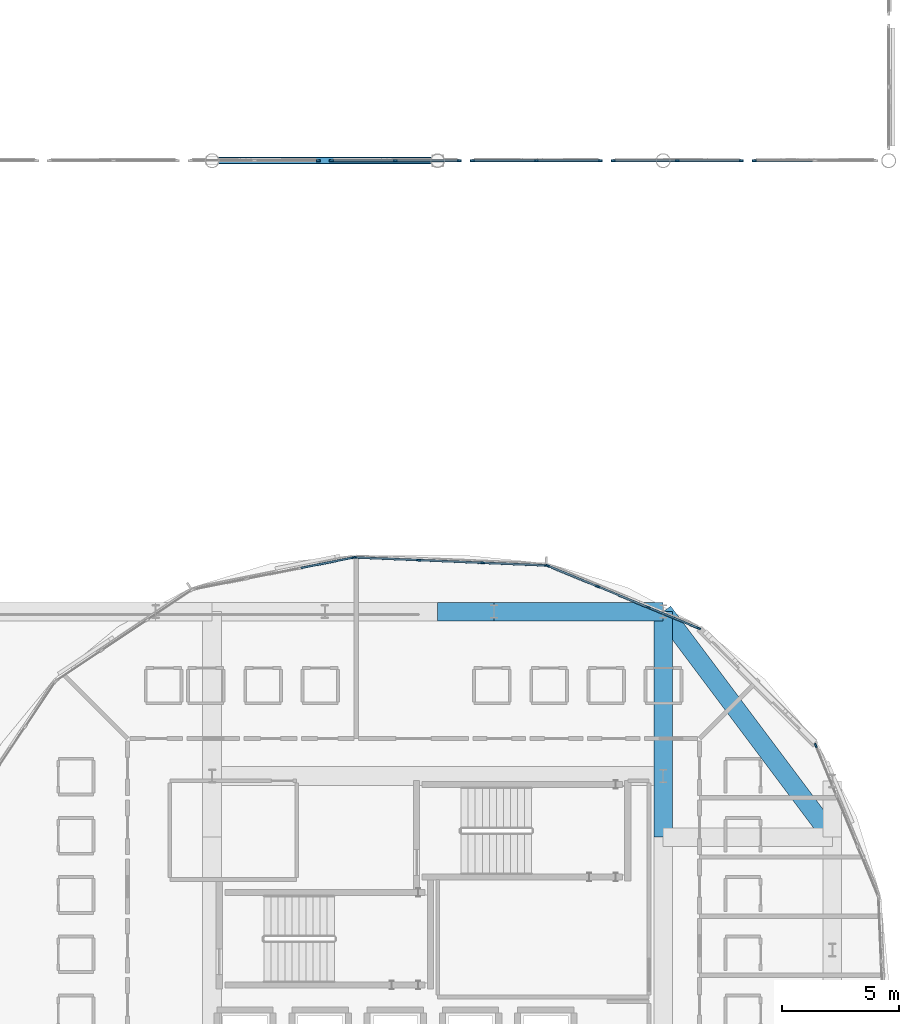
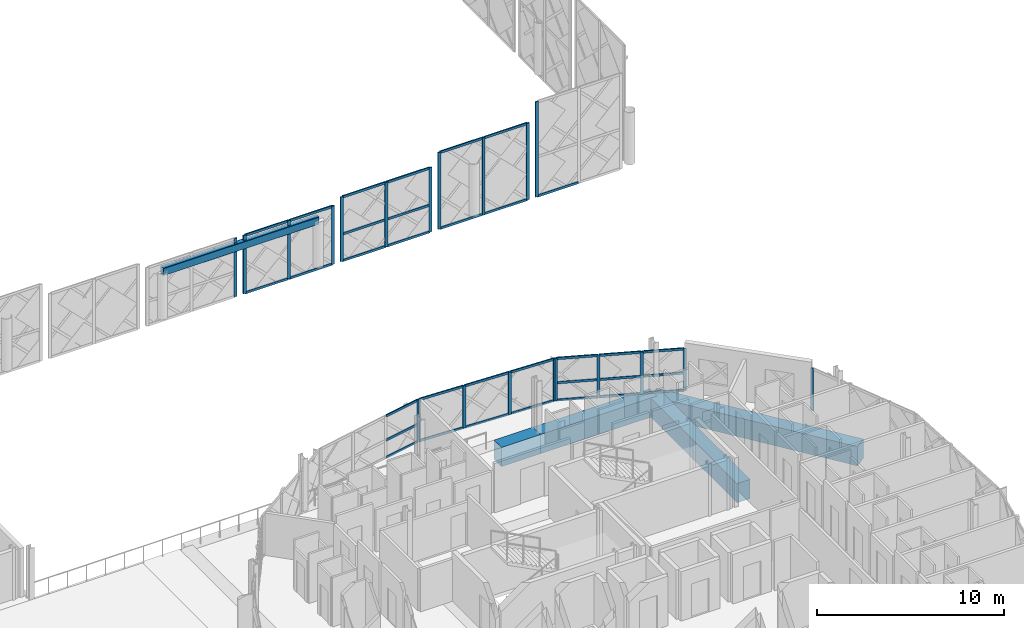
# One storey, part 17 of 53: 54 members, 5 beams, 9 elements without a shape of their own.
"""IFC4 building model written with IfcOpenShell, lengths in metres."""

from ifc_helpers import new_model, si_unit, direction, frame, origin, origin_2d, place, context, subcontext, project, spatial, rectangle, hollow_rectangle, extrude, material, layer, layer_set, material_profile, profile_set, type_object, element, aggregate, save


model = new_model("IFC4")

# Units and contexts
model_context = context("Model", 3, precision=1e-05, world=origin(), true_north=direction((0.0, 1.0)))
body_context = subcontext(model_context, "Body", "Model", "MODEL_VIEW")
ifc_project = project(units=[si_unit("LENGTHUNIT", "METRE"), si_unit("AREAUNIT", "SQUARE_METRE"), si_unit("VOLUMEUNIT", "CUBIC_METRE"), si_unit("PLANEANGLEUNIT", "RADIAN"), si_unit("MASSUNIT", "GRAM", prefix="KILO")], contexts=[model_context])

# Site, building, storey
site_placement = place(None, origin())
site = spatial("IfcSite", under=ifc_project, at=site_placement, CompositionType="ELEMENT")
building_placement = place(site_placement, origin())
building = spatial("IfcBuilding", under=site, at=building_placement, Name="Zevrakil Square Congress Hotel", CompositionType="ELEMENT")
storey_placement = place(building_placement, frame((0.0, 0.0, 14.699951171875)))
storey = spatial("IfcBuildingStorey", under=building, at=storey_placement, Name="L04", CompositionType="ELEMENT", Elevation=14.699951171875)

# Beams
ifc_material_1 = material(Name="Concrete C40/50", Category="concrete")
ifc_material_profile_1 = material_profile(ifc_material_1, rectangle(XDim=0.800048828125, YDim=1.25, at=origin_2d()), Name="RC 800x1250")
ifc_profile_set_1 = profile_set([ifc_material_profile_1], Name="Concrete C40/50")
beam_type_1 = type_object("IfcBeamType", Name="BM-RC800x1250", PredefinedType="BEAM", material=ifc_profile_set_1)
beam_1_placement = place(storey_placement, frame((146.39990234375, 45.60009765625, -0.625), z_axis=(1.0, 0.0, 0.0), x_axis=(0.0, 1.0, 0.0)))
element("IfcBeam", 1, at=beam_1_placement, inside=storey, type_object=beam_type_1, Name="L04 drum transfer girder TB-008", PredefinedType="BEAM", context=body_context, shape_type="SweptSolid", body=[
    extrude(rectangle(XDim=0.800048828125, YDim=1.25, at=origin_2d()), origin(), (0.0, 0.0, 1.0), 2.400146484375),
])
beam_2_placement = place(storey_placement, frame((148.800048828125, 45.60009765625, -0.625), z_axis=(1.0, 0.0, 0.0), x_axis=(0.0, 1.0, 0.0)))
element("IfcBeam", 2, at=beam_2_placement, inside=storey, type_object=beam_type_1, Name="L04 drum transfer girder TB-010", PredefinedType="BEAM", context=body_context, shape_type="SweptSolid", body=[
    extrude(rectangle(XDim=0.800048828125, YDim=1.25, at=origin_2d()), origin(), (0.0, 0.0, 1.0), 7.199951171875),
])
beam_3_placement = place(storey_placement, frame((156.0, 45.60009765625, -0.625), z_axis=(0.59999348959, -0.800004882766, 0.0), x_axis=(0.800004882766, 0.59999348959, 0.0)))
element("IfcBeam", 3, at=beam_3_placement, inside=storey, type_object=beam_type_1, Name="L04 drum transfer girder TB-022", PredefinedType="BEAM", context=body_context, shape_type="SweptSolid", body=[
    extrude(rectangle(XDim=0.800048828125, YDim=1.25, at=origin_2d()), origin(), (0.0, 0.0, 1.0), 12.0),
])
beam_4_placement = place(storey_placement, frame((156.0, 36.0, -0.625), z_axis=(0.0, 1.0, 0.0), x_axis=(-1.0, 0.0, 0.0)))
element("IfcBeam", 4, at=beam_4_placement, inside=storey, type_object=beam_type_1, Name="L04 drum transfer girder TB-030", PredefinedType="BEAM", context=body_context, shape_type="SweptSolid", body=[
    extrude(rectangle(XDim=0.800048828125, YDim=1.25, at=origin_2d()), origin(), (0.0, 0.0, 1.0), 9.60009765625),
])

# Curtain wall, members
ifc_material_2 = material(Name="Aluminium Anodised Bronze", Category="aluminium")
ifc_layer_1 = layer(ifc_material_2, 0.179931640625)
ifc_layer_set_1 = layer_set([ifc_layer_1], Name="Aluminium Anodised Bronze")
curtain_wall_type_1 = type_object("IfcCurtainWallType", Name="CW-L01-560", PredefinedType="USERDEFINED", material=ifc_layer_set_1)
curtain_wall_1_placement = place(storey_placement, origin())
curtain_wall_1 = element("IfcCurtainWall", 5, at=curtain_wall_1_placement, inside=storey, type_object=curtain_wall_type_1, Name="L04 diamond curtain wall CW-L04-0087", ObjectType="GLAZED CURTAIN WALL", PredefinedType="USERDEFINED")
ifc_material_3 = material(Name="Aluminium Anodised Bronze", Category="aluminium")
ifc_material_profile_2 = material_profile(ifc_material_3, rectangle(XDim=0.074951171875, YDim=0.14990234375, at=origin_2d()), Name="ALU 75x150")
ifc_profile_set_2 = profile_set([ifc_material_profile_2], Name="Aluminium Anodised Bronze")
member_type_1 = type_object("IfcMemberType", Name="CWM-ALU75x150", PredefinedType="USERDEFINED", material=ifc_profile_set_2)
member_1_placement = place(storey_placement, frame((141.909912109375, 64.800048828125, -0.22998046875), z_axis=(1.0, 0.0, 0.0), x_axis=(0.0, 1.0, 0.0)))
member_1 = element("IfcMember", 6, at=member_1_placement, type_object=member_type_1, Name="CW-08 transom 1.1", ObjectType="TRANSOM", PredefinedType="USERDEFINED", context=body_context, shape_type="SweptSolid", body=[
    extrude(rectangle(XDim=0.074951171875, YDim=0.14990234375, at=origin_2d()), origin(), (0.0, 0.0, 1.0), 2.66015625),
])
member_2_placement = place(storey_placement, frame((141.909912109375, 64.800048828125, 3.510009765625), z_axis=(1.0, 0.0, 0.0), x_axis=(0.0, 1.0, 0.0)))
member_2 = element("IfcMember", 7, at=member_2_placement, type_object=member_type_1, Name="CW-08 transom 1.2", ObjectType="TRANSOM", PredefinedType="USERDEFINED", context=body_context, shape_type="SweptSolid", body=[
    extrude(rectangle(XDim=0.074951171875, YDim=0.14990234375, at=origin_2d()), origin(), (0.0, 0.0, 1.0), 2.66015625),
])
member_3_placement = place(storey_placement, frame((144.6298828125, 64.800048828125, -0.22998046875), z_axis=(1.0, 0.0, 0.0), x_axis=(0.0, 1.0, 0.0)))
member_3 = element("IfcMember", 8, at=member_3_placement, type_object=member_type_1, Name="CW-08 transom 2.1", ObjectType="TRANSOM", PredefinedType="USERDEFINED", context=body_context, shape_type="SweptSolid", body=[
    extrude(rectangle(XDim=0.074951171875, YDim=0.14990234375, at=origin_2d()), origin(), (0.0, 0.0, 1.0), 2.66015625),
])
member_4_placement = place(storey_placement, frame((144.6298828125, 64.800048828125, 3.510009765625), z_axis=(1.0, 0.0, 0.0), x_axis=(0.0, 1.0, 0.0)))
member_4 = element("IfcMember", 9, at=member_4_placement, type_object=member_type_1, Name="CW-08 transom 2.2", ObjectType="TRANSOM", PredefinedType="USERDEFINED", context=body_context, shape_type="SweptSolid", body=[
    extrude(rectangle(XDim=0.074951171875, YDim=0.14990234375, at=origin_2d()), origin(), (0.0, 0.0, 1.0), 2.66015625),
])

curtain_wall_2_placement = place(storey_placement, origin())
curtain_wall_2 = element("IfcCurtainWall", 10, at=curtain_wall_2_placement, inside=storey, type_object=curtain_wall_type_1, Name="L04 diamond curtain wall CW-L04-0088", ObjectType="GLAZED CURTAIN WALL", PredefinedType="USERDEFINED")
member_5_placement = place(storey_placement, frame((147.909912109375, 64.800048828125, -0.22998046875), z_axis=(1.0, 0.0, 0.0), x_axis=(0.0, 1.0, 0.0)))
member_5 = element("IfcMember", 11, at=member_5_placement, type_object=member_type_1, Name="CW-08 transom 1.1", ObjectType="TRANSOM", PredefinedType="USERDEFINED", context=body_context, shape_type="SweptSolid", body=[
    extrude(rectangle(XDim=0.074951171875, YDim=0.14990234375, at=origin_2d()), origin(), (0.0, 0.0, 1.0), 2.66015625),
])
member_6_placement = place(storey_placement, frame((147.909912109375, 64.800048828125, 1.504150390625), z_axis=(1.0, 0.0, 0.0), x_axis=(0.0, 1.0, 0.0)))
member_6 = element("IfcMember", 12, at=member_6_placement, type_object=member_type_1, Name="CW-08 transom 1.2", ObjectType="TRANSOM", PredefinedType="USERDEFINED", context=body_context, shape_type="SweptSolid", body=[
    extrude(rectangle(XDim=0.074951171875, YDim=0.14990234375, at=origin_2d()), origin(), (0.0, 0.0, 1.0), 2.66015625),
])
member_7_placement = place(storey_placement, frame((147.909912109375, 64.800048828125, 3.91015625), z_axis=(1.0, 0.0, 0.0), x_axis=(0.0, 1.0, 0.0)))
member_7 = element("IfcMember", 13, at=member_7_placement, type_object=member_type_1, Name="CW-08 transom 1.3", ObjectType="TRANSOM", PredefinedType="USERDEFINED", context=body_context, shape_type="SweptSolid", body=[
    extrude(rectangle(XDim=0.074951171875, YDim=0.14990234375, at=origin_2d()), origin(), (0.0, 0.0, 1.0), 2.66015625),
])
member_8_placement = place(storey_placement, frame((150.6298828125, 64.800048828125, -0.22998046875), z_axis=(1.0, 0.0, 0.0), x_axis=(0.0, 1.0, 0.0)))
member_8 = element("IfcMember", 14, at=member_8_placement, type_object=member_type_1, Name="CW-08 transom 2.1", ObjectType="TRANSOM", PredefinedType="USERDEFINED", context=body_context, shape_type="SweptSolid", body=[
    extrude(rectangle(XDim=0.074951171875, YDim=0.14990234375, at=origin_2d()), origin(), (0.0, 0.0, 1.0), 2.66015625),
])
member_9_placement = place(storey_placement, frame((150.6298828125, 64.800048828125, 1.504150390625), z_axis=(1.0, 0.0, 0.0), x_axis=(0.0, 1.0, 0.0)))
member_9 = element("IfcMember", 15, at=member_9_placement, type_object=member_type_1, Name="CW-08 transom 2.2", ObjectType="TRANSOM", PredefinedType="USERDEFINED", context=body_context, shape_type="SweptSolid", body=[
    extrude(rectangle(XDim=0.074951171875, YDim=0.14990234375, at=origin_2d()), origin(), (0.0, 0.0, 1.0), 2.66015625),
])
member_10_placement = place(storey_placement, frame((150.6298828125, 64.800048828125, 3.91015625), z_axis=(1.0, 0.0, 0.0), x_axis=(0.0, 1.0, 0.0)))
member_10 = element("IfcMember", 16, at=member_10_placement, type_object=member_type_1, Name="CW-08 transom 2.3", ObjectType="TRANSOM", PredefinedType="USERDEFINED", context=body_context, shape_type="SweptSolid", body=[
    extrude(rectangle(XDim=0.074951171875, YDim=0.14990234375, at=origin_2d()), origin(), (0.0, 0.0, 1.0), 2.66015625),
])

curtain_wall_3_placement = place(storey_placement, origin())
curtain_wall_3 = element("IfcCurtainWall", 17, at=curtain_wall_3_placement, inside=storey, type_object=curtain_wall_type_1, Name="L04 diamond curtain wall CW-L04-0089", ObjectType="GLAZED CURTAIN WALL", PredefinedType="USERDEFINED")
member_11_placement = place(storey_placement, frame((153.909912109375, 64.800048828125, -0.22998046875), z_axis=(1.0, 0.0, 0.0), x_axis=(0.0, 1.0, 0.0)))
member_11 = element("IfcMember", 18, at=member_11_placement, type_object=member_type_1, Name="CW-08 transom 1.1", ObjectType="TRANSOM", PredefinedType="USERDEFINED", context=body_context, shape_type="SweptSolid", body=[
    extrude(rectangle(XDim=0.074951171875, YDim=0.14990234375, at=origin_2d()), origin(), (0.0, 0.0, 1.0), 2.66015625),
])
member_12_placement = place(storey_placement, frame((153.909912109375, 64.800048828125, 4.7099609375), z_axis=(1.0, 0.0, 0.0), x_axis=(0.0, 1.0, 0.0)))
member_12 = element("IfcMember", 19, at=member_12_placement, type_object=member_type_1, Name="CW-08 transom 1.2", ObjectType="TRANSOM", PredefinedType="USERDEFINED", context=body_context, shape_type="SweptSolid", body=[
    extrude(rectangle(XDim=0.074951171875, YDim=0.14990234375, at=origin_2d()), origin(), (0.0, 0.0, 1.0), 2.66015625),
])
member_13_placement = place(storey_placement, frame((156.6298828125, 64.800048828125, -0.22998046875), z_axis=(1.0, 0.0, 0.0), x_axis=(0.0, 1.0, 0.0)))
member_13 = element("IfcMember", 20, at=member_13_placement, type_object=member_type_1, Name="CW-08 transom 2.1", ObjectType="TRANSOM", PredefinedType="USERDEFINED", context=body_context, shape_type="SweptSolid", body=[
    extrude(rectangle(XDim=0.074951171875, YDim=0.14990234375, at=origin_2d()), origin(), (0.0, 0.0, 1.0), 2.66015625),
])
member_14_placement = place(storey_placement, frame((156.6298828125, 64.800048828125, 4.7099609375), z_axis=(1.0, 0.0, 0.0), x_axis=(0.0, 1.0, 0.0)))
member_14 = element("IfcMember", 21, at=member_14_placement, type_object=member_type_1, Name="CW-08 transom 2.2", ObjectType="TRANSOM", PredefinedType="USERDEFINED", context=body_context, shape_type="SweptSolid", body=[
    extrude(rectangle(XDim=0.074951171875, YDim=0.14990234375, at=origin_2d()), origin(), (0.0, 0.0, 1.0), 2.66015625),
])

# Curtain wall, member
curtain_wall_4_placement = place(storey_placement, origin())
curtain_wall_4 = element("IfcCurtainWall", 22, at=curtain_wall_4_placement, inside=storey, type_object=curtain_wall_type_1, Name="L04 diamond curtain wall CW-L04-0090", ObjectType="GLAZED CURTAIN WALL", PredefinedType="USERDEFINED")
member_15_placement = place(storey_placement, frame((159.909912109375, 64.800048828125, -0.22998046875), z_axis=(1.0, 0.0, 0.0), x_axis=(0.0, 1.0, 0.0)))
member_15 = element("IfcMember", 23, at=member_15_placement, type_object=member_type_1, Name="CW-08 transom 1.1", ObjectType="TRANSOM", PredefinedType="USERDEFINED", context=body_context, shape_type="SweptSolid", body=[
    extrude(rectangle(XDim=0.074951171875, YDim=0.14990234375, at=origin_2d()), origin(), (0.0, 0.0, 1.0), 2.525146484375),
])

# Curtain wall, members
ifc_material_4 = material(Name="Aluminium Anodised Bronze", Category="aluminium")
ifc_layer_2 = layer(ifc_material_4, 0.179931640625)
ifc_layer_set_2 = layer_set([ifc_layer_2], Name="Aluminium Anodised Bronze")
curtain_wall_type_2 = type_object("IfcCurtainWallType", Name="CW-L04-720", PredefinedType="USERDEFINED", material=ifc_layer_set_2)
curtain_wall_5_placement = place(storey_placement, origin())
curtain_wall_5 = element("IfcCurtainWall", 24, at=curtain_wall_5_placement, inside=storey, type_object=curtain_wall_type_2, Name="L04 diamond curtain wall CW-L04-0174", ObjectType="GLAZED CURTAIN WALL", PredefinedType="USERDEFINED")
member_16_placement = place(storey_placement, frame((157.474853515625, 44.906982421875, 0.030029296875), z_axis=(-0.923885623343, 0.382668727465, 0.0), x_axis=(-0.382668727465, -0.923885623343, 0.0)))
member_16 = element("IfcMember", 25, at=member_16_placement, type_object=member_type_1, Name="CW-46 transom 1.1", ObjectType="TRANSOM", PredefinedType="USERDEFINED", context=body_context, shape_type="SweptSolid", body=[
    extrude(rectangle(XDim=0.074951171875, YDim=0.14990234375, at=origin_2d()), origin(), (0.0, 0.0, 1.0), 2.2451171875),
])
member_17_placement = place(storey_placement, frame((157.474853515625, 44.906982421875, 1.1591796875), z_axis=(-0.923885623343, 0.382668727465, 0.0), x_axis=(-0.382668727465, -0.923885623343, 0.0)))
member_17 = element("IfcMember", 26, at=member_17_placement, type_object=member_type_1, Name="CW-46 transom 1.2", ObjectType="TRANSOM", PredefinedType="USERDEFINED", context=body_context, shape_type="SweptSolid", body=[
    extrude(rectangle(XDim=0.074951171875, YDim=0.14990234375, at=origin_2d()), origin(), (0.0, 0.0, 1.0), 2.2451171875),
])
member_18_placement = place(storey_placement, frame((157.474853515625, 44.906982421875, 2.72998046875), z_axis=(-0.923885623343, 0.382668727465, 0.0), x_axis=(-0.382668727465, -0.923885623343, 0.0)))
member_18 = element("IfcMember", 27, at=member_18_placement, type_object=member_type_1, Name="CW-46 transom 1.3", ObjectType="TRANSOM", PredefinedType="USERDEFINED", context=body_context, shape_type="SweptSolid", body=[
    extrude(rectangle(XDim=0.074951171875, YDim=0.14990234375, at=origin_2d()), origin(), (0.0, 0.0, 1.0), 2.2451171875),
])
member_19_placement = place(storey_placement, frame((155.344970703125, 45.7890625, 0.030029296875), z_axis=(-0.923855963606, 0.38274032778, 0.0), x_axis=(-0.38274032778, -0.923855963606, 0.0)))
member_19 = element("IfcMember", 28, at=member_19_placement, type_object=member_type_1, Name="CW-46 transom 2.1", ObjectType="TRANSOM", PredefinedType="USERDEFINED", context=body_context, shape_type="SweptSolid", body=[
    extrude(rectangle(XDim=0.074951171875, YDim=0.14990234375, at=origin_2d()), origin(), (0.0, 0.0, 1.0), 2.275390625),
])
member_20_placement = place(storey_placement, frame((155.344970703125, 45.7890625, 1.1591796875), z_axis=(-0.923855963606, 0.38274032778, 0.0), x_axis=(-0.38274032778, -0.923855963606, 0.0)))
member_20 = element("IfcMember", 29, at=member_20_placement, type_object=member_type_1, Name="CW-46 transom 2.2", ObjectType="TRANSOM", PredefinedType="USERDEFINED", context=body_context, shape_type="SweptSolid", body=[
    extrude(rectangle(XDim=0.074951171875, YDim=0.14990234375, at=origin_2d()), origin(), (0.0, 0.0, 1.0), 2.275390625),
])
member_21_placement = place(storey_placement, frame((155.344970703125, 45.7890625, 2.72998046875), z_axis=(-0.923855963606, 0.38274032778, 0.0), x_axis=(-0.38274032778, -0.923855963606, 0.0)))
member_21 = element("IfcMember", 30, at=member_21_placement, type_object=member_type_1, Name="CW-46 transom 2.3", ObjectType="TRANSOM", PredefinedType="USERDEFINED", context=body_context, shape_type="SweptSolid", body=[
    extrude(rectangle(XDim=0.074951171875, YDim=0.14990234375, at=origin_2d()), origin(), (0.0, 0.0, 1.0), 2.275390625),
])
member_22_placement = place(storey_placement, frame((153.1875, 46.682861328125, 0.030029296875), z_axis=(-0.923885623343, 0.382668727465, 0.0), x_axis=(-0.382668727465, -0.923885623343, 0.0)))
member_22 = element("IfcMember", 31, at=member_22_placement, type_object=member_type_1, Name="CW-46 transom 3.1", ObjectType="TRANSOM", PredefinedType="USERDEFINED", context=body_context, shape_type="SweptSolid", body=[
    extrude(rectangle(XDim=0.074951171875, YDim=0.14990234375, at=origin_2d()), origin(), (0.0, 0.0, 1.0), 2.2451171875),
])
member_23_placement = place(storey_placement, frame((153.1875, 46.682861328125, 1.1591796875), z_axis=(-0.923885623343, 0.382668727465, 0.0), x_axis=(-0.382668727465, -0.923885623343, 0.0)))
member_23 = element("IfcMember", 32, at=member_23_placement, type_object=member_type_1, Name="CW-46 transom 3.2", ObjectType="TRANSOM", PredefinedType="USERDEFINED", context=body_context, shape_type="SweptSolid", body=[
    extrude(rectangle(XDim=0.074951171875, YDim=0.14990234375, at=origin_2d()), origin(), (0.0, 0.0, 1.0), 2.2451171875),
])
member_24_placement = place(storey_placement, frame((153.1875, 46.682861328125, 2.72998046875), z_axis=(-0.923885623343, 0.382668727465, 0.0), x_axis=(-0.382668727465, -0.923885623343, 0.0)))
member_24 = element("IfcMember", 33, at=member_24_placement, type_object=member_type_1, Name="CW-46 transom 3.3", ObjectType="TRANSOM", PredefinedType="USERDEFINED", context=body_context, shape_type="SweptSolid", body=[
    extrude(rectangle(XDim=0.074951171875, YDim=0.14990234375, at=origin_2d()), origin(), (0.0, 0.0, 1.0), 2.2451171875),
])

ifc_material_5 = material(Name="Aluminium Anodised Bronze", Category="aluminium")
ifc_layer_3 = layer(ifc_material_5, 0.179931640625)
ifc_layer_set_3 = layer_set([ifc_layer_3], Name="Aluminium Anodised Bronze")
curtain_wall_type_3 = type_object("IfcCurtainWallType", Name="CW-L04-840", PredefinedType="USERDEFINED", material=ifc_layer_set_3)
curtain_wall_6_placement = place(storey_placement, origin())
curtain_wall_6 = element("IfcCurtainWall", 34, at=curtain_wall_6_placement, inside=storey, type_object=curtain_wall_type_3, Name="L04 diamond curtain wall CW-L04-0175", ObjectType="GLAZED CURTAIN WALL", PredefinedType="USERDEFINED")
member_25_placement = place(storey_placement, frame((150.997802734375, 47.567626953125, 0.030029296875), z_axis=(-0.999121056799, 0.041917941987, 0.0), x_axis=(-0.041917941987, -0.999121056799, 0.0)))
member_25 = element("IfcMember", 35, at=member_25_placement, type_object=member_type_1, Name="CW-47 transom 1.1", ObjectType="TRANSOM", PredefinedType="USERDEFINED", context=body_context, shape_type="SweptSolid", body=[
    extrude(rectangle(XDim=0.074951171875, YDim=0.14990234375, at=origin_2d()), origin(), (0.0, 0.0, 1.0), 2.650146484375),
])
member_26_placement = place(storey_placement, frame((150.997802734375, 47.567626953125, 2.719970703125), z_axis=(-0.999121056799, 0.041917941987, 0.0), x_axis=(-0.041917941987, -0.999121056799, 0.0)))
member_26 = element("IfcMember", 36, at=member_26_placement, type_object=member_type_1, Name="CW-47 transom 1.2", ObjectType="TRANSOM", PredefinedType="USERDEFINED", context=body_context, shape_type="SweptSolid", body=[
    extrude(rectangle(XDim=0.074951171875, YDim=0.14990234375, at=origin_2d()), origin(), (0.0, 0.0, 1.0), 2.650146484375),
])
member_27_placement = place(storey_placement, frame((148.290283203125, 47.68115234375, 0.030029296875), z_axis=(-0.999117850877, 0.041994286037, 0.0), x_axis=(-0.041994286037, -0.999117850877, 0.0)))
member_27 = element("IfcMember", 37, at=member_27_placement, type_object=member_type_1, Name="CW-47 transom 2.1", ObjectType="TRANSOM", PredefinedType="USERDEFINED", context=body_context, shape_type="SweptSolid", body=[
    extrude(rectangle(XDim=0.074951171875, YDim=0.14990234375, at=origin_2d()), origin(), (0.0, 0.0, 1.0), 2.68017578125),
])
member_28_placement = place(storey_placement, frame((148.290283203125, 47.68115234375, 2.719970703125), z_axis=(-0.999117850877, 0.041994286037, 0.0), x_axis=(-0.041994286037, -0.999117850877, 0.0)))
member_28 = element("IfcMember", 38, at=member_28_placement, type_object=member_type_1, Name="CW-47 transom 2.2", ObjectType="TRANSOM", PredefinedType="USERDEFINED", context=body_context, shape_type="SweptSolid", body=[
    extrude(rectangle(XDim=0.074951171875, YDim=0.14990234375, at=origin_2d()), origin(), (0.0, 0.0, 1.0), 2.68017578125),
])
member_29_placement = place(storey_placement, frame((145.552734375, 47.796142578125, 0.030029296875), z_axis=(-0.999117194187, 0.04200990692, 0.0), x_axis=(-0.04200990692, -0.999117194187, 0.0)))
member_29 = element("IfcMember", 39, at=member_29_placement, type_object=member_type_1, Name="CW-47 transom 3.1", ObjectType="TRANSOM", PredefinedType="USERDEFINED", context=body_context, shape_type="SweptSolid", body=[
    extrude(rectangle(XDim=0.074951171875, YDim=0.14990234375, at=origin_2d()), origin(), (0.0, 0.0, 1.0), 2.650146484375),
])
member_30_placement = place(storey_placement, frame((145.552734375, 47.796142578125, 2.719970703125), z_axis=(-0.999117194187, 0.04200990692, 0.0), x_axis=(-0.04200990692, -0.999117194187, 0.0)))
member_30 = element("IfcMember", 40, at=member_30_placement, type_object=member_type_1, Name="CW-47 transom 3.2", ObjectType="TRANSOM", PredefinedType="USERDEFINED", context=body_context, shape_type="SweptSolid", body=[
    extrude(rectangle(XDim=0.074951171875, YDim=0.14990234375, at=origin_2d()), origin(), (0.0, 0.0, 1.0), 2.650146484375),
])

curtain_wall_7_placement = place(storey_placement, origin())
curtain_wall_7 = element("IfcCurtainWall", 41, at=curtain_wall_7_placement, inside=storey, type_object=curtain_wall_type_2, Name="L04 diamond curtain wall CW-L04-0176", ObjectType="GLAZED CURTAIN WALL", PredefinedType="USERDEFINED")
member_31_placement = place(storey_placement, frame((142.7861328125, 47.898193359375, 0.030029296875), z_axis=(-0.98078922397, -0.195070495322, 0.0), x_axis=(0.195070495322, -0.98078922397, 0.0)))
member_31 = element("IfcMember", 42, at=member_31_placement, type_object=member_type_1, Name="CW-46 transom 1.1", ObjectType="TRANSOM", PredefinedType="USERDEFINED", context=body_context, shape_type="SweptSolid", body=[
    extrude(rectangle(XDim=0.074951171875, YDim=0.14990234375, at=origin_2d()), origin(), (0.0, 0.0, 1.0), 2.245361328125),
])
member_32_placement = place(storey_placement, frame((142.7861328125, 47.898193359375, 1.155029296875), z_axis=(-0.98078922397, -0.195070495322, 0.0), x_axis=(0.195070495322, -0.98078922397, 0.0)))
member_32 = element("IfcMember", 43, at=member_32_placement, type_object=member_type_1, Name="CW-46 transom 1.2", ObjectType="TRANSOM", PredefinedType="USERDEFINED", context=body_context, shape_type="SweptSolid", body=[
    extrude(rectangle(XDim=0.074951171875, YDim=0.14990234375, at=origin_2d()), origin(), (0.0, 0.0, 1.0), 2.245361328125),
])
member_33_placement = place(storey_placement, frame((142.7861328125, 47.898193359375, 2.719970703125), z_axis=(-0.98078922397, -0.195070495322, 0.0), x_axis=(0.195070495322, -0.98078922397, 0.0)))
member_33 = element("IfcMember", 44, at=member_33_placement, type_object=member_type_1, Name="CW-46 transom 1.3", ObjectType="TRANSOM", PredefinedType="USERDEFINED", context=body_context, shape_type="SweptSolid", body=[
    extrude(rectangle(XDim=0.074951171875, YDim=0.14990234375, at=origin_2d()), origin(), (0.0, 0.0, 1.0), 2.245361328125),
])

# Curtain wall, member
curtain_wall_8_placement = place(storey_placement, origin())
curtain_wall_8 = element("IfcCurtainWall", 45, at=curtain_wall_8_placement, inside=storey, type_object=curtain_wall_type_1, Name="L04 diamond curtain wall CW-L04-0086", ObjectType="GLAZED CURTAIN WALL", PredefinedType="USERDEFINED")
ifc_material_6 = material(Name="Aluminium Anodised Bronze", Category="aluminium")
ifc_material_profile_3 = material_profile(ifc_material_6, rectangle(XDim=0.074951171875, YDim=0.179931640625, at=origin_2d()), Name="ALU 75x180")
ifc_profile_set_3 = profile_set([ifc_material_profile_3], Name="Aluminium Anodised Bronze")
member_type_2 = type_object("IfcMemberType", Name="CWM-ALU75x180", PredefinedType="MULLION", material=ifc_profile_set_3)
member_34_placement = place(storey_placement, frame((141.320068359375, 64.800048828125, -0.260009765625), z_axis=(0.0, 0.0, 1.0), x_axis=(0.0, 1.0, 0.0)))
member_34 = element("IfcMember", 46, at=member_34_placement, type_object=member_type_2, Name="CW-08 mullion 3", PredefinedType="MULLION", context=body_context, shape_type="SweptSolid", body=[
    extrude(rectangle(XDim=0.074951171875, YDim=0.179931640625, at=origin_2d()), origin(), (0.0, 0.0, 1.0), 3.800048828125),
])
aggregate(curtain_wall_8, [member_34])

# Member
member_35_placement = place(storey_placement, frame((141.8798828125, 64.800048828125, -0.260009765625), z_axis=(0.0, 0.0, 1.0), x_axis=(0.0, 1.0, 0.0)))
member_35 = element("IfcMember", 47, at=member_35_placement, type_object=member_type_2, Name="CW-08 mullion 1", PredefinedType="MULLION", context=body_context, shape_type="SweptSolid", body=[
    extrude(rectangle(XDim=0.074951171875, YDim=0.179931640625, at=origin_2d()), origin(), (0.0, 0.0, 1.0), 3.800048828125),
])

member_36_placement = place(storey_placement, frame((144.60009765625, 64.800048828125, -0.260009765625), z_axis=(0.0, 0.0, 1.0), x_axis=(0.0, 1.0, 0.0)))
member_36 = element("IfcMember", 48, at=member_36_placement, type_object=member_type_2, Name="CW-08 mullion 2", PredefinedType="MULLION", context=body_context, shape_type="SweptSolid", body=[
    extrude(rectangle(XDim=0.074951171875, YDim=0.179931640625, at=origin_2d()), origin(), (0.0, 0.0, 1.0), 3.800048828125),
])

member_37_placement = place(storey_placement, frame((147.320068359375, 64.800048828125, -0.260009765625), z_axis=(0.0, 0.0, 1.0), x_axis=(0.0, 1.0, 0.0)))
member_37 = element("IfcMember", 49, at=member_37_placement, type_object=member_type_2, Name="CW-08 mullion 3", PredefinedType="MULLION", context=body_context, shape_type="SweptSolid", body=[
    extrude(rectangle(XDim=0.074951171875, YDim=0.179931640625, at=origin_2d()), origin(), (0.0, 0.0, 1.0), 3.800048828125),
])

aggregate(curtain_wall_1, [member_35, member_36, member_37, member_1, member_2, member_3, member_4])

member_38_placement = place(storey_placement, frame((147.8798828125, 64.800048828125, -0.260009765625), z_axis=(0.0, 0.0, 1.0), x_axis=(0.0, 1.0, 0.0)))
member_38 = element("IfcMember", 50, at=member_38_placement, type_object=member_type_2, Name="CW-08 mullion 1", PredefinedType="MULLION", context=body_context, shape_type="SweptSolid", body=[
    extrude(rectangle(XDim=0.074951171875, YDim=0.179931640625, at=origin_2d()), origin(), (0.0, 0.0, 1.0), 4.199951171875),
])

member_39_placement = place(storey_placement, frame((150.60009765625, 64.800048828125, -0.260009765625), z_axis=(0.0, 0.0, 1.0), x_axis=(0.0, 1.0, 0.0)))
member_39 = element("IfcMember", 51, at=member_39_placement, type_object=member_type_2, Name="CW-08 mullion 2", PredefinedType="MULLION", context=body_context, shape_type="SweptSolid", body=[
    extrude(rectangle(XDim=0.074951171875, YDim=0.179931640625, at=origin_2d()), origin(), (0.0, 0.0, 1.0), 4.199951171875),
])

member_40_placement = place(storey_placement, frame((153.320068359375, 64.800048828125, -0.260009765625), z_axis=(0.0, 0.0, 1.0), x_axis=(0.0, 1.0, 0.0)))
member_40 = element("IfcMember", 52, at=member_40_placement, type_object=member_type_2, Name="CW-08 mullion 3", PredefinedType="MULLION", context=body_context, shape_type="SweptSolid", body=[
    extrude(rectangle(XDim=0.074951171875, YDim=0.179931640625, at=origin_2d()), origin(), (0.0, 0.0, 1.0), 4.199951171875),
])

aggregate(curtain_wall_2, [member_38, member_39, member_40, member_5, member_6, member_7, member_8, member_9, member_10])

member_41_placement = place(storey_placement, frame((153.8798828125, 64.800048828125, -0.260009765625), z_axis=(0.0, 0.0, 1.0), x_axis=(0.0, 1.0, 0.0)))
member_41 = element("IfcMember", 53, at=member_41_placement, type_object=member_type_2, Name="CW-08 mullion 1", PredefinedType="MULLION", context=body_context, shape_type="SweptSolid", body=[
    extrude(rectangle(XDim=0.074951171875, YDim=0.179931640625, at=origin_2d()), origin(), (0.0, 0.0, 1.0), 5.0),
])

member_42_placement = place(storey_placement, frame((156.60009765625, 64.800048828125, -0.260009765625), z_axis=(0.0, 0.0, 1.0), x_axis=(0.0, 1.0, 0.0)))
member_42 = element("IfcMember", 54, at=member_42_placement, type_object=member_type_2, Name="CW-08 mullion 2", PredefinedType="MULLION", context=body_context, shape_type="SweptSolid", body=[
    extrude(rectangle(XDim=0.074951171875, YDim=0.179931640625, at=origin_2d()), origin(), (0.0, 0.0, 1.0), 5.0),
])

member_43_placement = place(storey_placement, frame((159.320068359375, 64.800048828125, -0.260009765625), z_axis=(0.0, 0.0, 1.0), x_axis=(0.0, 1.0, 0.0)))
member_43 = element("IfcMember", 55, at=member_43_placement, type_object=member_type_2, Name="CW-08 mullion 3", PredefinedType="MULLION", context=body_context, shape_type="SweptSolid", body=[
    extrude(rectangle(XDim=0.074951171875, YDim=0.179931640625, at=origin_2d()), origin(), (0.0, 0.0, 1.0), 5.0),
])

aggregate(curtain_wall_3, [member_41, member_42, member_43, member_11, member_12, member_13, member_14])

member_44_placement = place(storey_placement, frame((159.8798828125, 64.800048828125, -0.260009765625), z_axis=(0.0, 0.0, 1.0), x_axis=(0.0, 1.0, 0.0)))
member_44 = element("IfcMember", 56, at=member_44_placement, type_object=member_type_2, Name="CW-08 mullion 1", PredefinedType="MULLION", context=body_context, shape_type="SweptSolid", body=[
    extrude(rectangle(XDim=0.074951171875, YDim=0.179931640625, at=origin_2d()), origin(), (0.0, 0.0, 1.0), 6.199951171875),
])

aggregate(curtain_wall_4, [member_44, member_15])

# Curtain wall, member
curtain_wall_9_placement = place(storey_placement, origin())
curtain_wall_9 = element("IfcCurtainWall", 57, at=curtain_wall_9_placement, inside=storey, type_object=curtain_wall_type_2, Name="L04 diamond curtain wall CW-L04-0173", ObjectType="GLAZED CURTAIN WALL", PredefinedType="USERDEFINED")
member_45_placement = place(storey_placement, frame((162.495361328125, 39.902587890625, 0.0), z_axis=(0.0, 0.0, 1.0), x_axis=(-0.92387939537, -0.382683763454, 0.0)))
member_45 = element("IfcMember", 58, at=member_45_placement, type_object=member_type_2, Name="CW-46 mullion 4", PredefinedType="MULLION", context=body_context, shape_type="SweptSolid", body=[
    extrude(rectangle(XDim=0.074951171875, YDim=0.179931640625, at=origin_2d()), origin(), (0.0, 0.0, 1.0), 2.760009765625),
])
aggregate(curtain_wall_9, [member_45])

# Member
member_46_placement = place(storey_placement, frame((157.502685546875, 44.8955078125, 0.0), z_axis=(0.0, 0.0, 1.0), x_axis=(-0.382683763454, -0.92387939537, 0.0)))
member_46 = element("IfcMember", 59, at=member_46_placement, type_object=member_type_2, Name="CW-46 mullion 1", PredefinedType="MULLION", context=body_context, shape_type="SweptSolid", body=[
    extrude(rectangle(XDim=0.074951171875, YDim=0.179931640625, at=origin_2d()), origin(), (0.0, 0.0, 1.0), 2.760009765625),
])

member_47_placement = place(storey_placement, frame((155.372802734375, 45.777587890625, 0.0), z_axis=(0.0, 0.0, 1.0), x_axis=(-0.382683763454, -0.92387939537, 0.0)))
member_47 = element("IfcMember", 60, at=member_47_placement, type_object=member_type_2, Name="CW-46 mullion 2", PredefinedType="MULLION", context=body_context, shape_type="SweptSolid", body=[
    extrude(rectangle(XDim=0.074951171875, YDim=0.179931640625, at=origin_2d()), origin(), (0.0, 0.0, 1.0), 2.760009765625),
])

member_48_placement = place(storey_placement, frame((153.21533203125, 46.67138671875, 0.0), z_axis=(0.0, 0.0, 1.0), x_axis=(-0.382683763454, -0.92387939537, 0.0)))
member_48 = element("IfcMember", 61, at=member_48_placement, type_object=member_type_2, Name="CW-46 mullion 3", PredefinedType="MULLION", context=body_context, shape_type="SweptSolid", body=[
    extrude(rectangle(XDim=0.074951171875, YDim=0.179931640625, at=origin_2d()), origin(), (0.0, 0.0, 1.0), 2.760009765625),
])

member_49_placement = place(storey_placement, frame((151.08544921875, 47.553466796875, 0.0), z_axis=(0.0, 0.0, 1.0), x_axis=(-0.382683763454, -0.92387939537, 0.0)))
member_49 = element("IfcMember", 62, at=member_49_placement, type_object=member_type_2, Name="CW-46 mullion 4", PredefinedType="MULLION", context=body_context, shape_type="SweptSolid", body=[
    extrude(rectangle(XDim=0.074951171875, YDim=0.179931640625, at=origin_2d()), origin(), (0.0, 0.0, 1.0), 2.760009765625),
])

aggregate(curtain_wall_5, [member_46, member_47, member_48, member_49, member_16, member_17, member_18, member_19, member_20, member_21, member_22, member_23, member_24])

member_50_placement = place(storey_placement, frame((151.02783203125, 47.566162109375, 0.0), z_axis=(0.0, 0.0, 1.0), x_axis=(-0.041970582763, -0.999118846876, 0.0)))
member_50 = element("IfcMember", 63, at=member_50_placement, type_object=member_type_2, Name="CW-47 mullion 1", PredefinedType="MULLION", context=body_context, shape_type="SweptSolid", body=[
    extrude(rectangle(XDim=0.074951171875, YDim=0.179931640625, at=origin_2d()), origin(), (0.0, 0.0, 1.0), 2.75),
])

member_51_placement = place(storey_placement, frame((148.3203125, 47.679931640625, 0.0), z_axis=(0.0, 0.0, 1.0), x_axis=(-0.041970582763, -0.999118846876, 0.0)))
member_51 = element("IfcMember", 64, at=member_51_placement, type_object=member_type_2, Name="CW-47 mullion 2", PredefinedType="MULLION", context=body_context, shape_type="SweptSolid", body=[
    extrude(rectangle(XDim=0.074951171875, YDim=0.179931640625, at=origin_2d()), origin(), (0.0, 0.0, 1.0), 2.75),
])

member_52_placement = place(storey_placement, frame((145.58251953125, 47.794921875, 0.0), z_axis=(0.0, 0.0, 1.0), x_axis=(-0.041970582763, -0.999118846876, 0.0)))
member_52 = element("IfcMember", 65, at=member_52_placement, type_object=member_type_2, Name="CW-47 mullion 3", PredefinedType="MULLION", context=body_context, shape_type="SweptSolid", body=[
    extrude(rectangle(XDim=0.074951171875, YDim=0.179931640625, at=origin_2d()), origin(), (0.0, 0.0, 1.0), 2.75),
])

member_53_placement = place(storey_placement, frame((142.875, 47.90869140625, 0.0), z_axis=(0.0, 0.0, 1.0), x_axis=(-0.041970582763, -0.999118846876, 0.0)))
member_53 = element("IfcMember", 66, at=member_53_placement, type_object=member_type_2, Name="CW-47 mullion 4", PredefinedType="MULLION", context=body_context, shape_type="SweptSolid", body=[
    extrude(rectangle(XDim=0.074951171875, YDim=0.179931640625, at=origin_2d()), origin(), (0.0, 0.0, 1.0), 2.75),
])

aggregate(curtain_wall_6, [member_50, member_51, member_52, member_53, member_25, member_26, member_27, member_28, member_29, member_30])

member_54_placement = place(storey_placement, frame((142.815673828125, 47.904052734375, 0.0), z_axis=(0.0, 0.0, 1.0), x_axis=(0.195083900459, -0.980786557708, 0.0)))
member_54 = element("IfcMember", 67, at=member_54_placement, type_object=member_type_2, Name="CW-46 mullion 1", PredefinedType="MULLION", context=body_context, shape_type="SweptSolid", body=[
    extrude(rectangle(XDim=0.074951171875, YDim=0.179931640625, at=origin_2d()), origin(), (0.0, 0.0, 1.0), 2.75),
])

aggregate(curtain_wall_7, [member_54, member_31, member_32, member_33])

# Beam
ifc_material_7 = material(Name="Steel S355", Category="steel")
ifc_material_profile_4 = material_profile(ifc_material_7, hollow_rectangle(XDim=0.300048828125, YDim=0.5, WallThickness=0.02001953125, InnerFilletRadius=0.02001953125, OuterFilletRadius=0.0400390625, at=origin_2d()), Name="RHS 500x300x20")
ifc_profile_set_4 = profile_set([ifc_material_profile_4], Name="Steel S355")
beam_type_2 = type_object("IfcBeamType", Name="RNG-RHS500", PredefinedType="USERDEFINED", material=ifc_profile_set_4)
beam_5_placement = place(storey_placement, frame((136.800048828125, 64.800048828125, 2.97802734375), z_axis=(1.0, 0.0, 0.0), x_axis=(0.0, 1.0, 0.0)))
element("IfcBeam", 68, at=beam_5_placement, inside=storey, type_object=beam_type_2, Name="Congress Hall compression ring beam RB-03", ObjectType="RING BEAM", PredefinedType="USERDEFINED", context=body_context, shape_type="SweptSolid", body=[
    extrude(hollow_rectangle(XDim=0.300048828125, YDim=0.5, WallThickness=0.02001953125, InnerFilletRadius=0.02001953125, OuterFilletRadius=0.0400390625, at=origin_2d()), origin(), (0.0, 0.0, 1.0), 9.599853515625),
])

save(model, "model.ifc")
